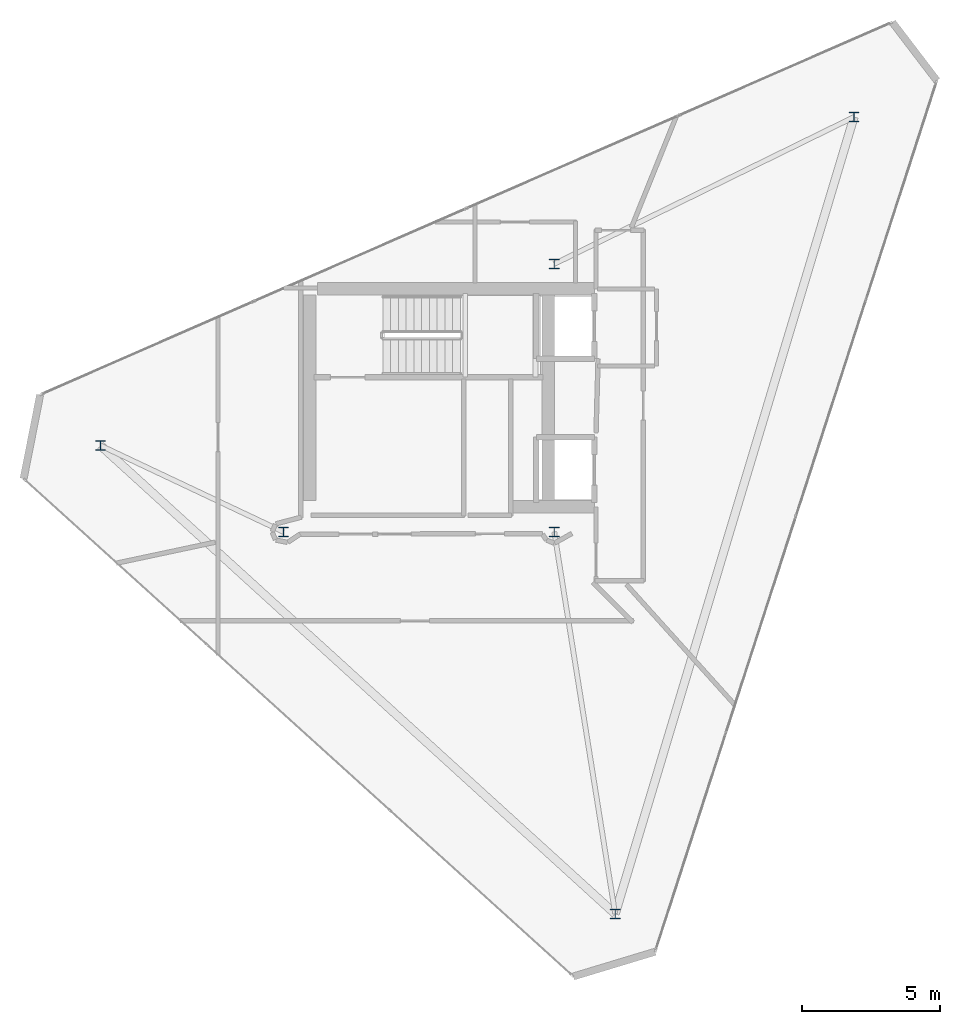
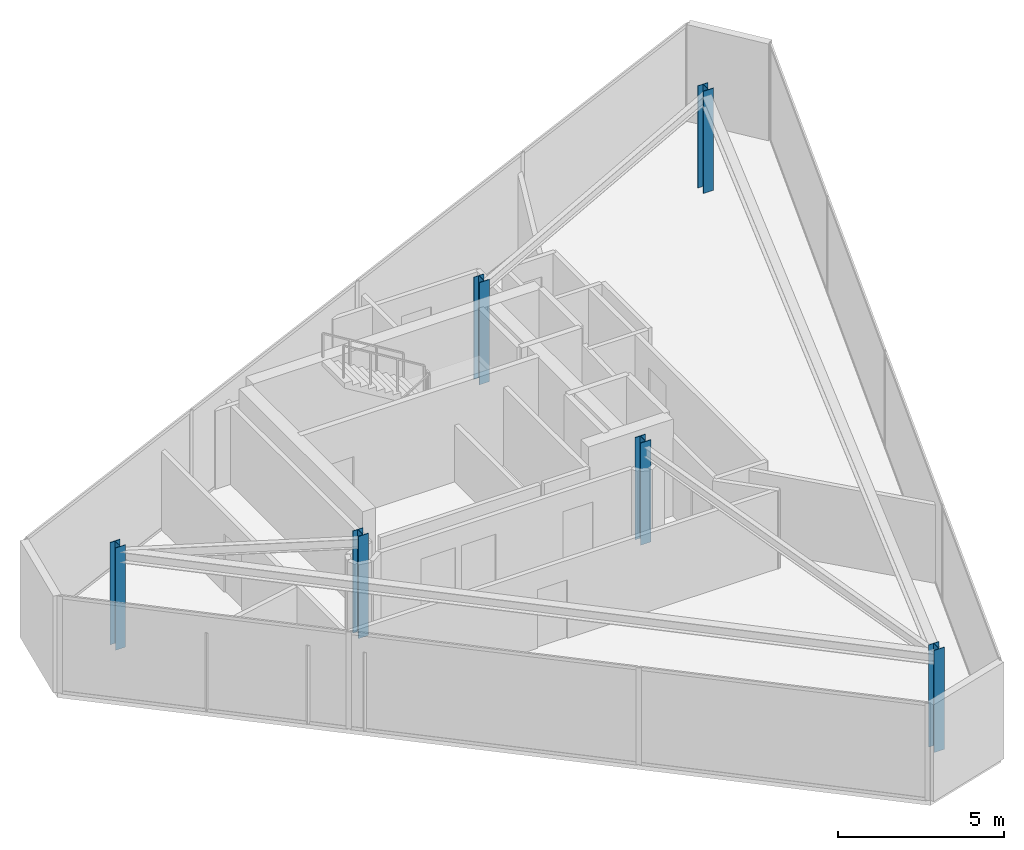
# One storey, part 1 of 14: 6 columns.
"""IFC4 building model written with IfcOpenShell, lengths in metres."""

import ifcopenshell
import ifcopenshell.guid

model = None  # the IFC model being written
_history = None  # IfcOwnerHistory: only IFC2X3 demands one
_inside = {}  # id of a spatial element -> (the spatial element, [elements in it])
_under = {}  # id of a project, library or spatial element -> (it, [spatial elements below it])
_declared = {}  # id of a project -> (the project, [libraries it declares])
_typed = {}  # id of a type object -> (the type object, [elements of that type])
_made_of = {}  # id of a material, layer set ... -> (it, [elements and type objects made of it])


def new_model(schema):
    """Start an empty IFC model of exactly this schema.

    Asked for "IFC4X3", IfcOpenShell would pick the latest addendum, in which some entities
    have other attributes; the version numbers below select the first issue.
    IFC2X3 requires an IfcOwnerHistory on every rooted entity: one is made here for all.
    """
    global model, _history
    if schema == "IFC4X3":
        model = ifcopenshell.file(schema_version=(4, 3, 0, 0))
    else:
        model = ifcopenshell.file(schema=schema)
    _inside.clear()
    _under.clear()
    _declared.clear()
    _typed.clear()
    _made_of.clear()
    _history = None
    if model.schema == "IFC2X3":
        org = make("IfcOrganization", Name="unknown")
        user = make(
            "IfcPersonAndOrganization",
            ThePerson=make("IfcPerson", FamilyName="unknown"),
            TheOrganization=org,
        )
        app = make(
            "IfcApplication",
            ApplicationDeveloper=org,
            Version="unknown",
            ApplicationFullName="unknown",
            ApplicationIdentifier="unknown",
        )
        _history = make(
            "IfcOwnerHistory",
            OwningUser=user,
            OwningApplication=app,
            ChangeAction="ADDED",
            CreationDate=0,
        )
    return model


def make(cls, **values):
    """One entity of the class cls with the attributes given. An attribute that is None is left unset."""
    return model.create_entity(
        cls, **{name: value for name, value in values.items() if value is not None}
    )


def rooted(cls, **values):
    """An entity with a GlobalId (a new one), such as an element, a storey or a relation."""
    return make(cls, GlobalId=ifcopenshell.guid.new(), OwnerHistory=_history, **values)


def si_unit(unit_type, name, prefix=None):
    """IfcSIUnit, for example si_unit("LENGTHUNIT", "METRE", prefix="MILLI")."""
    return make("IfcSIUnit", UnitType=unit_type, Prefix=prefix, Name=name)


def assignment(units):
    """IfcUnitAssignment: the units of a project."""
    return None if units is None else make("IfcUnitAssignment", Units=units)


def point(xyz):
    """IfcCartesianPoint."""
    return None if xyz is None else make("IfcCartesianPoint", Coordinates=xyz)


def direction(xyz):
    """IfcDirection."""
    return None if xyz is None else make("IfcDirection", DirectionRatios=xyz)


def frame(location, z_axis=None, x_axis=None):
    """IfcAxis2Placement3D, a coordinate frame: its origin and axes. An axis left out is left unset."""
    return make(
        "IfcAxis2Placement3D",
        Location=point(location),
        Axis=direction(z_axis),
        RefDirection=direction(x_axis),
    )


def frame_2d(location, x_axis=None):
    """IfcAxis2Placement2D, a coordinate frame in the plane: its origin and x axis."""
    return make(
        "IfcAxis2Placement2D", Location=point(location), RefDirection=direction(x_axis)
    )


def origin():
    """The frame at (0, 0, 0) with its axes left unset."""
    return frame((0.0, 0.0, 0.0))


def origin_2d():
    """The frame at (0, 0) in the plane with its x axis left unset."""
    return frame_2d((0.0, 0.0))


def place(relative_to, where):
    """IfcLocalPlacement: puts the frame where relative to a parent placement (None: the world)."""
    return make(
        "IfcLocalPlacement", PlacementRelTo=relative_to, RelativePlacement=where
    )


def context(
    kind, dimensions, precision=None, world=None, true_north=None, identifier=None
):
    """IfcGeometricRepresentationContext, for example the 3D "Model" context."""
    return make(
        "IfcGeometricRepresentationContext",
        ContextIdentifier=identifier,
        ContextType=kind,
        CoordinateSpaceDimension=dimensions,
        Precision=precision,
        WorldCoordinateSystem=world,
        TrueNorth=true_north,
    )


def subcontext(parent, identifier, kind, view, scale=None):
    """IfcGeometricRepresentationSubContext, for example "Body" below "Model"."""
    return make(
        "IfcGeometricRepresentationSubContext",
        ContextIdentifier=identifier,
        ContextType=kind,
        ParentContext=parent,
        TargetScale=scale,
        TargetView=view,
    )


def project(units=None, contexts=None):
    """IfcProject with its units and contexts."""
    return rooted(
        "IfcProject",
        Name="project",
        RepresentationContexts=contexts,
        UnitsInContext=assignment(units),
    )


def spatial(cls, under=None, at=None, **own):
    """A site, building, storey or space (cls), placed at a placement, below another one or the project."""
    s = rooted(cls, ObjectPlacement=at, **own)
    if under is not None:
        _under.setdefault(under.id(), (under, []))[1].append(s)
    return s


def profile(cls, at=None, kind="AREA", **sizes):
    """A parametric profile (cls). Its sizes go by their IFC names, for example OverallWidth=200.0."""
    return make(cls, ProfileType=kind, Position=at, **sizes)


def i_section(**sizes):
    """IfcIShapeProfileDef."""
    return profile("IfcIShapeProfileDef", **sizes)


def extrude(swept, where, along, depth):
    """IfcExtrudedAreaSolid: the profile swept, set in the frame where, extruded along a direction by depth."""
    return make(
        "IfcExtrudedAreaSolid",
        SweptArea=swept,
        Position=where,
        ExtrudedDirection=direction(along),
        Depth=depth,
    )


def shape(context_of_items, identifier, shape_type, items):
    """IfcShapeRepresentation: the items that make up one representation, for example the "Body"."""
    return make(
        "IfcShapeRepresentation",
        ContextOfItems=context_of_items,
        RepresentationIdentifier=identifier,
        RepresentationType=shape_type,
        Items=items,
    )


def material(Name=None, Category=None):
    """IfcMaterial."""
    return make("IfcMaterial", Name=Name, Category=Category)


def material_profile(
    of_material, cross_section, Name=None, Category=None, Priority=None
):
    """IfcMaterialProfile: a cross section and its material."""
    return make(
        "IfcMaterialProfile",
        Name=Name,
        Material=of_material,
        Profile=cross_section,
        Priority=Priority,
        Category=Category,
    )


def profile_set(profiles, Name=None, composite=None):
    """IfcMaterialProfileSet."""
    return make(
        "IfcMaterialProfileSet",
        Name=Name,
        MaterialProfiles=profiles,
        CompositeProfile=composite,
    )


def made_of(thing, what):
    """Note that an element or type object is made of a material, layer set ...; save() writes the relation."""
    if what is not None:
        _made_of.setdefault(what.id(), (what, []))[1].append(thing)
    return thing


def type_object(cls, material=None, **own):
    """A type object (cls), such as IfcWallType, which elements share."""
    return made_of(rooted(cls, **own), material)


def element(
    cls,
    number,
    at=None,
    inside=None,
    cuts=None,
    type_object=None,
    material=None,
    context=None,
    identifier="Body",
    shape_type=None,
    held_by="IfcProductDefinitionShape",
    body=None,
    shapes=None,
    **own,
):
    """One element of the class cls, such as IfcWall. Its Tag is "e" and its number.

    at: its placement. inside: the storey or other place that contains it. cuts: it is an
    opening in that element (IfcRelVoidsElement). A single representation is given by context,
    identifier, shape_type and body (its items); several are given by shapes. held_by: the class
    of the entity that holds the representations. save() writes the other relations.
    """
    e = rooted(cls, Tag="e%d" % number, ObjectPlacement=at, **own)
    if body is not None:
        shapes = [shape(context, identifier, shape_type, body)]
    if shapes is not None:
        e.Representation = make(held_by, Representations=shapes)
    if inside is not None:
        _inside.setdefault(inside.id(), (inside, []))[1].append(e)
    if cuts is not None:
        rooted(
            "IfcRelVoidsElement", RelatingBuildingElement=cuts, RelatedOpeningElement=e
        )
    if type_object is not None:
        _typed.setdefault(type_object.id(), (type_object, []))[1].append(e)
    return made_of(e, material)


def aggregate(whole, parts):
    """IfcRelAggregates: a whole, such as a stair, and the parts it consists of."""
    return rooted("IfcRelAggregates", RelatingObject=whole, RelatedObjects=parts)


def save(model, path):
    """Write the relations noted so far, then the file.

    IfcRelAggregates (storeys below a building ...), IfcRelContainedInSpatialStructure (elements
    in a storey), IfcRelDefinesByType, IfcRelAssociatesMaterial and IfcRelDeclares: one each for
    every whole, place, type object, material and project.
    """
    for whole, parts in _under.values():
        aggregate(whole, parts)
    for where, things in _inside.values():
        rooted(
            "IfcRelContainedInSpatialStructure",
            RelatedElements=things,
            RelatingStructure=where,
        )
    for kind, things in _typed.values():
        rooted("IfcRelDefinesByType", RelatedObjects=things, RelatingType=kind)
    for what, things in _made_of.values():
        rooted("IfcRelAssociatesMaterial", RelatedObjects=things, RelatingMaterial=what)
    for by, libraries in _declared.values():
        rooted("IfcRelDeclares", RelatingContext=by, RelatedDefinitions=libraries)
    model.write(path)


model = new_model("IFC4")

# Units and contexts
model_context = context("Model", 3, precision=1e-05, world=origin(), true_north=direction((0.0, 1.0)))
body_context = subcontext(model_context, "Body", "Model", "MODEL_VIEW")
ifc_project = project(units=[si_unit("LENGTHUNIT", "METRE"), si_unit("AREAUNIT", "SQUARE_METRE"), si_unit("VOLUMEUNIT", "CUBIC_METRE"), si_unit("PLANEANGLEUNIT", "RADIAN"), si_unit("MASSUNIT", "GRAM", prefix="KILO")], contexts=[model_context])

# Site, building, storey
site_placement = place(None, origin())
site = spatial("IfcSite", under=ifc_project, at=site_placement, CompositionType="ELEMENT")
building_placement = place(site_placement, origin())
building = spatial("IfcBuilding", under=site, at=building_placement, Name="Qianvela Tower", CompositionType="ELEMENT")
storey_placement = place(building_placement, frame((0.0, 0.0, 363.800048828125)))
storey = spatial("IfcBuildingStorey", under=building, at=storey_placement, Name="L94", CompositionType="ELEMENT", Elevation=363.800048828125)

# Columns
ifc_material = material(Name="Steel Q355B", Category="steel")
ifc_material_profile = material_profile(ifc_material, i_section(OverallWidth=0.35009765625, OverallDepth=0.35009765625, WebThickness=0.011962890625, FlangeThickness=0.01904296875, at=origin_2d()), Name="HW350x350x12x19")
ifc_profile_set = profile_set([ifc_material_profile], Name="Steel Q355B")
column_type = type_object("IfcColumnType", Name="COL-HW-350", PredefinedType="COLUMN", material=ifc_profile_set)
for number, where, z_axis, x_axis, name in (
    (1, (28.60009765625, 23.85009765625, 0.0), (0.0, 0.0, 1.0), (1.0, 0.0, 0.0), "L94 Core Corner Mega-Column CC-SW"),
    (2, (38.39990234375, 33.550048828125, 0.0), (0.0, 0.0, 1.0), (1.0, 0.0, 0.0), "L94 Core Corner Mega-Column CC-NE"),
    (3, (38.39990234375, 23.85009765625, 0.0), (0.0, 0.0, 1.0), (1.0, 0.0, 0.0), "L94 Core Corner Mega-Column CC-SE"),
    (4, (49.248046875, 38.866943359375, 0.0), (0.0, 0.0, 1.0), (1.0, 0.0, 0.0), "L94 Crown Frame Column CR1"),
    (5, (40.60400390625, 10.027099609375, 0.0), (0.0, 0.0, 1.0), (1.0, 0.0, 0.0), "L94 Crown Frame Column CR2"),
    (6, (21.98095703125, 26.97607421875, 0.0), (0.0, 0.0, 1.0), (1.0, 0.0, 0.0), "L94 Crown Frame Column CR3"),
):
    element("IfcColumn", number, at=place(storey_placement, frame(where, z_axis=z_axis, x_axis=x_axis)), inside=storey, type_object=column_type, Name=name, PredefinedType="COLUMN", context=body_context, shape_type="SweptSolid", body=[
        extrude(i_section(OverallWidth=0.35009765625, OverallDepth=0.35009765625, WebThickness=0.011962890625, FlangeThickness=0.01904296875, at=origin_2d()), origin(), (0.0, 0.0, 1.0), 3.75),
    ])

save(model, "model.ifc")
